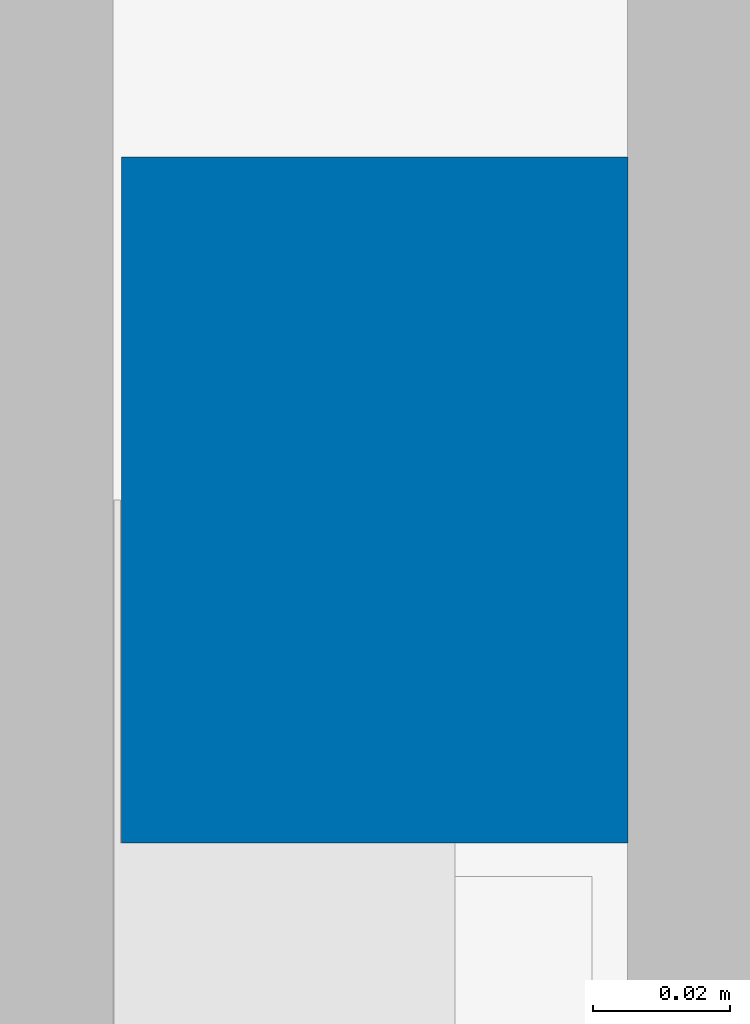
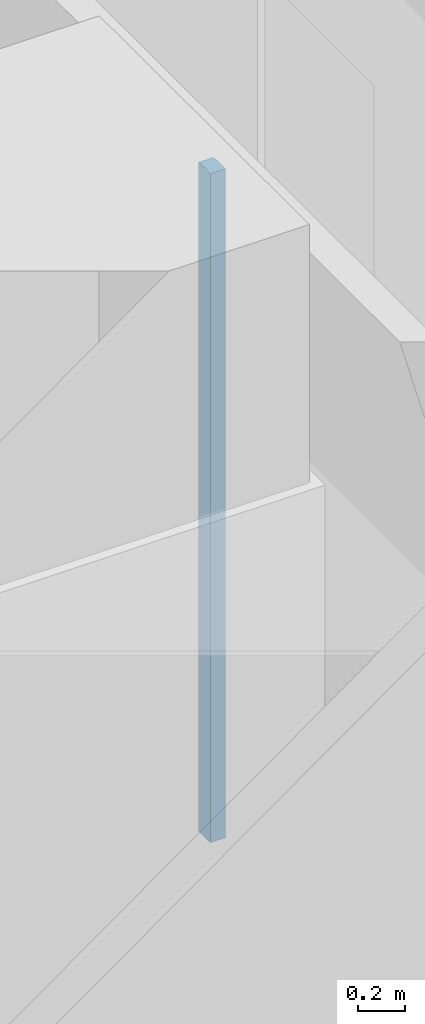
# One storey, part 5 of 18: 1 wall.
"""IFC4 building model written with IfcOpenShell, lengths in metres."""

from ifc_helpers import new_model, si_unit, direction, frame, frame_2d, origin, place, context, subcontext, project, spatial, rectangle, extrude, material, layer, layer_set, type_object, element, save


model = new_model("IFC4")

# Units and contexts
model_context = context("Model", 3, precision=1e-05, world=origin(), true_north=direction((0.0, 1.0)))
body_context = subcontext(model_context, "Body", "Model", "MODEL_VIEW")
ifc_project = project(units=[si_unit("LENGTHUNIT", "METRE"), si_unit("AREAUNIT", "SQUARE_METRE"), si_unit("VOLUMEUNIT", "CUBIC_METRE"), si_unit("PLANEANGLEUNIT", "RADIAN"), si_unit("MASSUNIT", "GRAM", prefix="KILO")], contexts=[model_context])

# Site, building, storey
site_placement = place(None, origin())
site = spatial("IfcSite", under=ifc_project, at=site_placement, CompositionType="ELEMENT")
building_placement = place(site_placement, origin())
building = spatial("IfcBuilding", under=site, at=building_placement, Name="Sheger Commons Tower", CompositionType="ELEMENT")
storey_placement = place(building_placement, frame((0.0, 0.0, 31.25)))
storey = spatial("IfcBuildingStorey", under=building, at=storey_placement, Name="L07", CompositionType="ELEMENT", Elevation=31.25)

# Wall
ifc_material = material(Name="Gypsum board on steel studs", Category="steel")
ifc_layer = layer(ifc_material, 0.10009765625)
ifc_layer_set = layer_set([ifc_layer], Name="PARTITION 100")
wall_type = type_object("IfcWallType", Name="PARTITION 100", PredefinedType="PARTITIONING", material=ifc_layer_set)
wall_placement = place(storey_placement, frame((8.10107421875, 15.0, 0.0), z_axis=(0.0, 0.0, 1.0), x_axis=(1.0, 0.0, 0.0)))
element("IfcWall", 1, at=wall_placement, inside=storey, type_object=wall_type, Name="Partition L07", PredefinedType="PARTITIONING", context=body_context, shape_type="SweptSolid", body=[
    extrude(rectangle(XDim=0.073974609375, YDim=0.10009765625, at=frame_2d((0.037109375, 0.0))), origin(), (0.0, 0.0, 1.0), 3.5),
])

save(model, "model.ifc")
